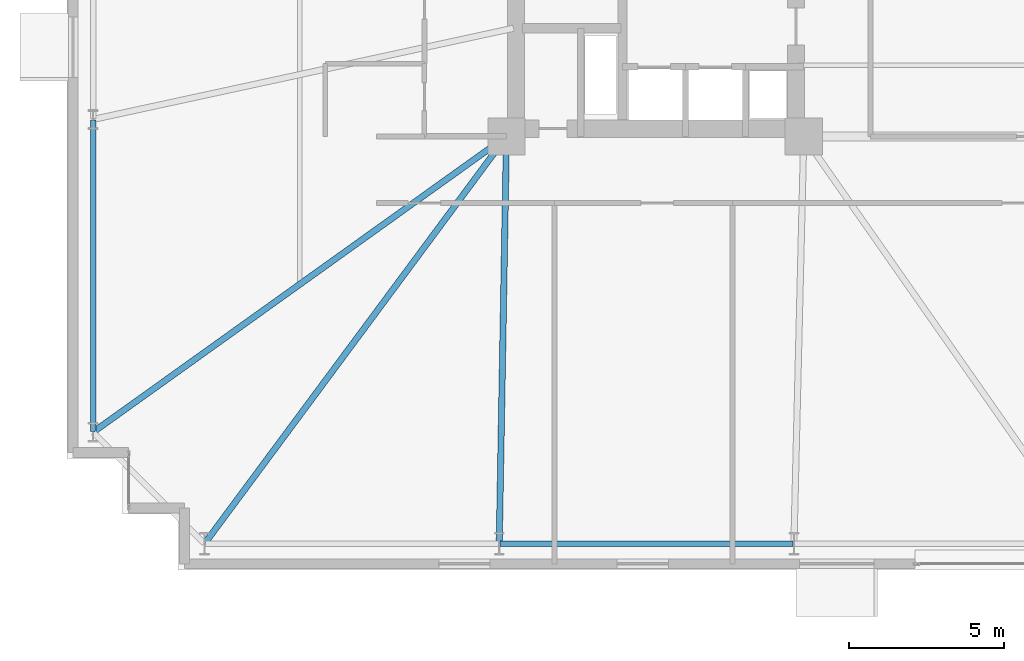
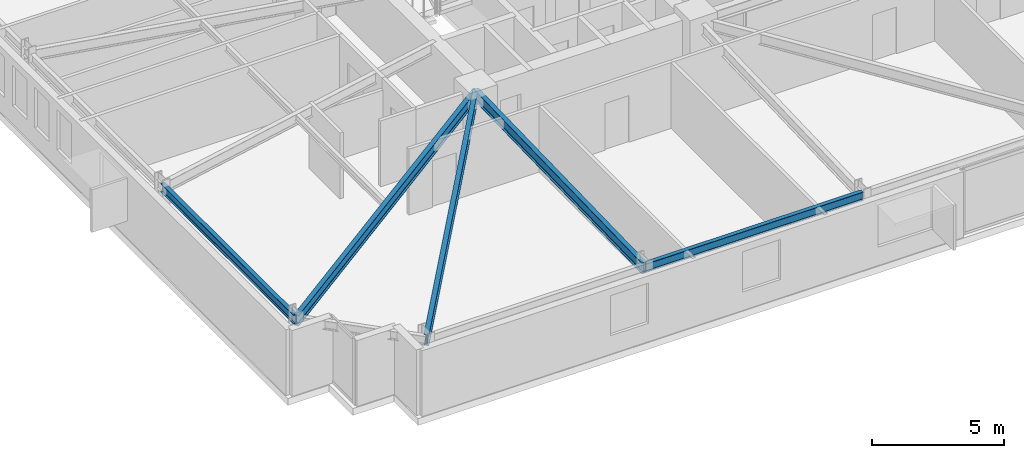
# One storey, part 5 of 24: 5 beams.
"""IFC4 building model written with IfcOpenShell, lengths in metres."""

from ifc_helpers import new_model, si_unit, direction, frame, origin, origin_2d, place, context, subcontext, project, spatial, i_section, extrude, material, material_profile, profile_set, type_object, element, save


model = new_model("IFC4")

# Units and contexts
model_context = context("Model", 3, precision=1e-05, world=origin(), true_north=direction((0.0, 1.0)))
body_context = subcontext(model_context, "Body", "Model", "MODEL_VIEW")
ifc_project = project(units=[si_unit("LENGTHUNIT", "METRE"), si_unit("AREAUNIT", "SQUARE_METRE"), si_unit("VOLUMEUNIT", "CUBIC_METRE"), si_unit("PLANEANGLEUNIT", "RADIAN"), si_unit("MASSUNIT", "GRAM", prefix="KILO")], contexts=[model_context])

# Site, building, storey
site_placement = place(None, origin())
site = spatial("IfcSite", under=ifc_project, at=site_placement, CompositionType="ELEMENT")
building_placement = place(site_placement, origin())
building = spatial("IfcBuilding", under=site, at=building_placement, Name="Qobustan Lattice House", CompositionType="ELEMENT")
storey_placement = place(building_placement, frame((0.0, 0.0, 50.449951171875)))
storey = spatial("IfcBuildingStorey", under=building, at=storey_placement, Name="L13", CompositionType="ELEMENT", Elevation=50.449951171875)

# Beams
ifc_material_1 = material(Name="Steel S355", Category="steel")
ifc_material_profile_1 = material_profile(ifc_material_1, i_section(OverallWidth=0.199951171875, OverallDepth=0.5, WebThickness=0.01025390625, FlangeThickness=0.01611328125, FilletRadius=0.02099609375, at=origin_2d()), Name="IPE500")
ifc_profile_set_1 = profile_set([ifc_material_profile_1], Name="Steel S355")
beam_type_1 = type_object("IfcBeamType", Name="BM-FLG-IPE500", PredefinedType="USERDEFINED", material=ifc_profile_set_1)
beam_1_placement = place(storey_placement, frame((-28.53515625, -18.72998046875, 2.78515625), z_axis=(0.5955916815, 0.803287338956, 0.0), x_axis=(-0.803287338956, 0.5955916815, 0.0)))
element("IfcBeam", 1, at=beam_1_placement, inside=storey, type_object=beam_type_1, Name="L13 primary floor girder RAD-S1W", ObjectType="GIRDER", PredefinedType="USERDEFINED", context=body_context, shape_type="SweptSolid", body=[
    extrude(i_section(OverallWidth=0.199951171875, OverallDepth=0.5, WebThickness=0.01025390625, FlangeThickness=0.01611328125, FilletRadius=0.02099609375, at=origin_2d()), origin(), (0.0, 0.0, 1.0), 16.3203125),
])
beam_2_placement = place(storey_placement, frame((-19.032958984375, -18.72509765625, 2.78515625), z_axis=(0.017757831607, 0.999842317276, 0.0), x_axis=(-0.999842317276, 0.017757831607, 0.0)))
element("IfcBeam", 2, at=beam_2_placement, inside=storey, type_object=beam_type_1, Name="L13 primary floor girder RAD-S2", ObjectType="GIRDER", PredefinedType="USERDEFINED", context=body_context, shape_type="SweptSolid", body=[
    extrude(i_section(OverallWidth=0.199951171875, OverallDepth=0.5, WebThickness=0.01025390625, FlangeThickness=0.01611328125, FilletRadius=0.02099609375, at=origin_2d()), origin(), (0.0, 0.0, 1.0), 13.10205078125),
])
beam_3_placement = place(storey_placement, frame((-32.129638671875, -15.135498046875, 2.78515625), z_axis=(0.813318954893, 0.581818079481, 0.0), x_axis=(-0.581818079481, 0.813318954893, 0.0)))
element("IfcBeam", 3, at=beam_3_placement, inside=storey, type_object=beam_type_1, Name="L13 primary floor girder RAD-W4", ObjectType="GIRDER", PredefinedType="USERDEFINED", context=body_context, shape_type="SweptSolid", body=[
    extrude(i_section(OverallWidth=0.199951171875, OverallDepth=0.5, WebThickness=0.01025390625, FlangeThickness=0.01611328125, FilletRadius=0.02099609375, at=origin_2d()), origin(), (0.0, 0.0, 1.0), 16.3642578125),
])
ifc_material_2 = material(Name="Steel S355", Category="steel")
ifc_material_profile_2 = material_profile(ifc_material_2, i_section(OverallWidth=0.179931640625, OverallDepth=0.39990234375, WebThickness=0.008544921875, FlangeThickness=0.013427734375, FilletRadius=0.02099609375, at=origin_2d()), Name="IPE400")
ifc_profile_set_2 = profile_set([ifc_material_profile_2], Name="Steel S355")
beam_type_2 = type_object("IfcBeamType", Name="BM-SPD-IPE400", PredefinedType="SPANDREL", material=ifc_profile_set_2)
beam_4_placement = place(storey_placement, frame((-19.00830078125, -18.75, 2.8349609375), z_axis=(1.0, 0.0, 0.0), x_axis=(0.0, 1.0, 0.0)))
element("IfcBeam", 4, at=beam_4_placement, inside=storey, type_object=beam_type_2, Name="L13 perimeter spandrel S2-S3", PredefinedType="SPANDREL", context=body_context, shape_type="SweptSolid", body=[
    extrude(i_section(OverallWidth=0.179931640625, OverallDepth=0.39990234375, WebThickness=0.008544921875, FlangeThickness=0.013427734375, FilletRadius=0.02099609375, at=origin_2d()), origin(), (0.0, 0.0, 1.0), 9.466552734375),
])
beam_5_placement = place(storey_placement, frame((-32.14990234375, -5.074951171875, 2.8349609375), z_axis=(0.0, -1.0, 0.0), x_axis=(1.0, 0.0, 0.0)))
element("IfcBeam", 5, at=beam_5_placement, inside=storey, type_object=beam_type_2, Name="L13 perimeter spandrel W3-W4", PredefinedType="SPANDREL", context=body_context, shape_type="SweptSolid", body=[
    extrude(i_section(OverallWidth=0.179931640625, OverallDepth=0.39990234375, WebThickness=0.008544921875, FlangeThickness=0.013427734375, FilletRadius=0.02099609375, at=origin_2d()), origin(), (0.0, 0.0, 1.0), 10.050048828125),
])

save(model, "model.ifc")
